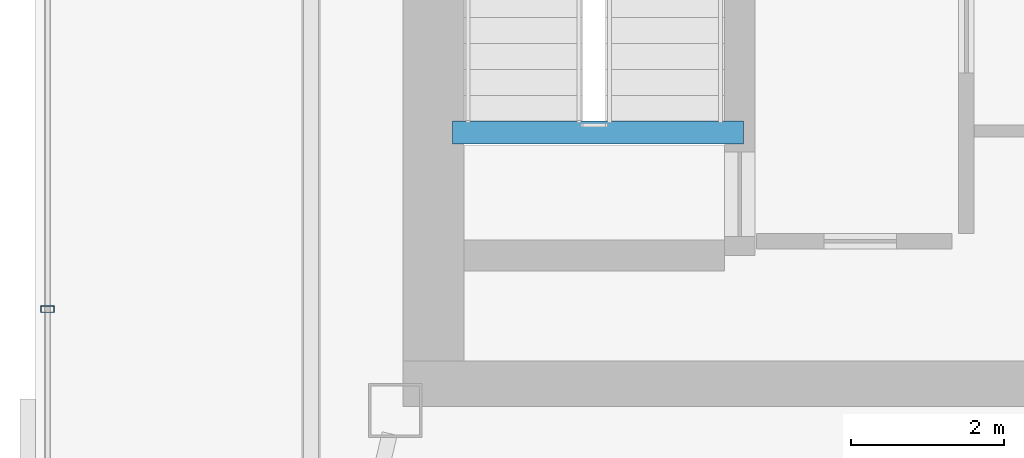
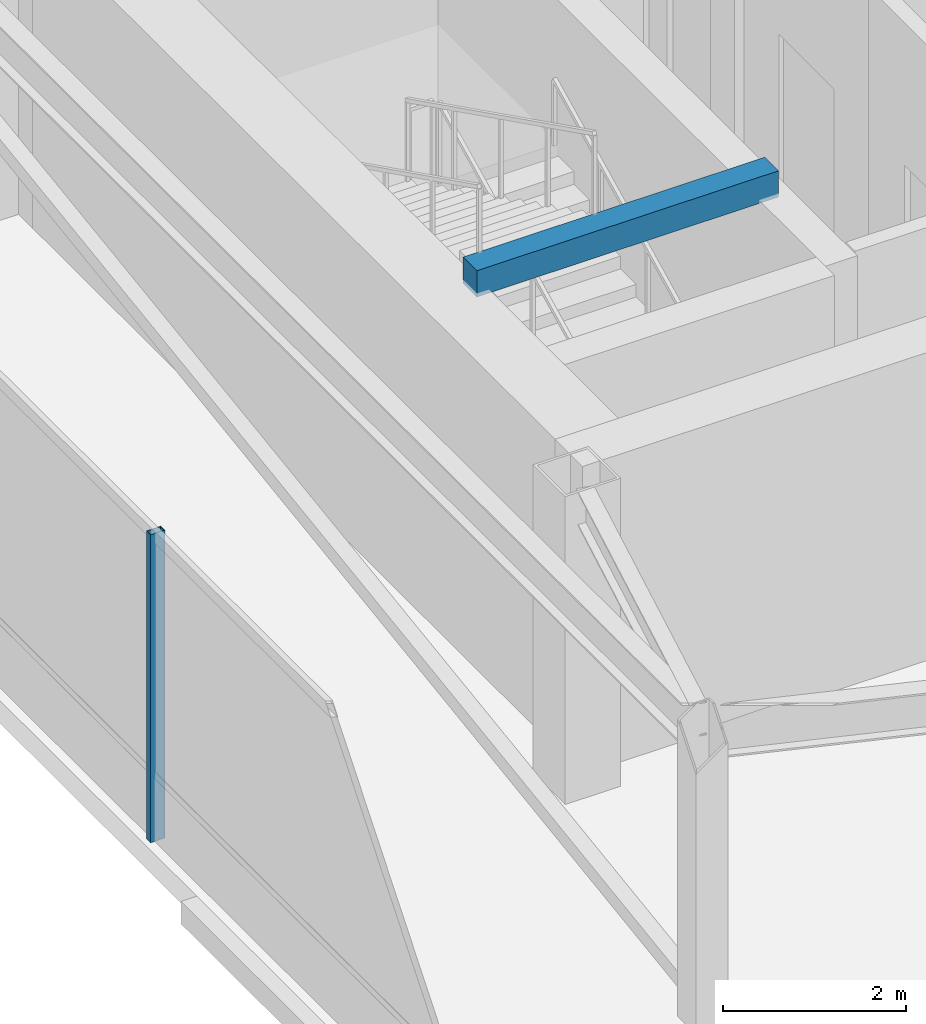
# One storey, part 3 of 22: 1 beam, 1 member, 1 element without a shape of its own.
"""IFC4 building model written with IfcOpenShell, lengths in metres."""

from ifc_helpers import new_model, si_unit, direction, frame, origin, origin_2d, place, context, subcontext, project, spatial, rectangle, hollow_rectangle, extrude, material, layer, layer_set, material_profile, profile_set, type_object, element, aggregate, save


model = new_model("IFC4")

# Units and contexts
model_context = context("Model", 3, precision=1e-05, world=origin(), true_north=direction((0.0, 1.0)))
body_context = subcontext(model_context, "Body", "Model", "MODEL_VIEW")
ifc_project = project(units=[si_unit("LENGTHUNIT", "METRE"), si_unit("AREAUNIT", "SQUARE_METRE"), si_unit("VOLUMEUNIT", "CUBIC_METRE"), si_unit("PLANEANGLEUNIT", "RADIAN"), si_unit("MASSUNIT", "GRAM", prefix="KILO")], contexts=[model_context])

# Site, building, storey
site_placement = place(None, origin())
site = spatial("IfcSite", under=ifc_project, at=site_placement, CompositionType="ELEMENT")
building_placement = place(site_placement, origin())
building = spatial("IfcBuilding", under=site, at=building_placement, Name="Tavrogorsk Clinical Tower", CompositionType="ELEMENT")
storey_placement = place(building_placement, frame((0.0, 0.0, 339.800048828125)))
storey = spatial("IfcBuildingStorey", under=building, at=storey_placement, Name="L79", CompositionType="ELEMENT", Elevation=339.800048828125)

# Curtain wall, member
ifc_material_1 = material(Name="Anodised aluminium and triple IGU glazing", Category="aluminium")
ifc_layer = layer(ifc_material_1, 0.179931640625)
ifc_layer_set = layer_set([ifc_layer], Name="Anodised aluminium and triple IGU glazing")
curtain_wall_type = type_object("IfcCurtainWallType", Name="CW6_TmdLantern", PredefinedType="NOTDEFINED", material=ifc_layer_set)
curtain_wall_placement = place(storey_placement, origin())
curtain_wall = element("IfcCurtainWall", 1, at=curtain_wall_placement, inside=storey, type_object=curtain_wall_type, Name="L79 Curtain Wall CW-L79-DRUM-2", PredefinedType="NOTDEFINED")
ifc_material_2 = material(Name="Anodised aluminium alloy AW-6060", Category="aluminium")
ifc_material_profile_1 = material_profile(ifc_material_2, hollow_rectangle(XDim=0.090087890625, YDim=0.179931640625, WallThickness=0.00634765625, at=origin_2d()), Name="RHS-180x90x6.3")
ifc_profile_set_1 = profile_set([ifc_material_profile_1], Name="Anodised aluminium alloy AW-6060")
member_type = type_object("IfcMemberType", Name="CwMullion_180x90", PredefinedType="MULLION", material=ifc_profile_set_1)
member_placement = place(storey_placement, frame((-26.639892578125, -5.024658203125, 0.0), z_axis=(0.0, 0.0, 1.0), x_axis=(0.0, 1.0, 0.0)))
member = element("IfcMember", 2, at=member_placement, type_object=member_type, Name="CW-L79-DRUM-2 Mullion 2", PredefinedType="MULLION", context=body_context, shape_type="SweptSolid", body=[
    extrude(hollow_rectangle(XDim=0.090087890625, YDim=0.179931640625, WallThickness=0.00634765625, at=origin_2d()), origin(), (0.0, 0.0, 1.0), 4.099853515625),
])
aggregate(curtain_wall, [member])

# Beam
ifc_material_3 = material(Name="Concrete B60", Category="concrete")
ifc_material_profile_2 = material_profile(ifc_material_3, rectangle(XDim=0.300048828125, YDim=0.35009765625, at=origin_2d()), Name="RC-SHB-300x350")
ifc_profile_set_2 = profile_set([ifc_material_profile_2], Name="Concrete B60")
beam_type = type_object("IfcBeamType", Name="StairHeaderBeam_RC300x350", PredefinedType="BEAM", material=ifc_profile_set_2)
beam_placement = place(storey_placement, frame((-21.35009765625, -2.719970703125, 4.224853515625), z_axis=(1.0, 0.0, 0.0), x_axis=(0.0, 1.0, 0.0)))
element("IfcBeam", 3, at=beam_placement, inside=storey, type_object=beam_type, Name="L80 ST-W Landing Header Beam", PredefinedType="BEAM", context=body_context, shape_type="SweptSolid", body=[
    extrude(rectangle(XDim=0.300048828125, YDim=0.35009765625, at=origin_2d()), origin(), (0.0, 0.0, 1.0), 3.800048828125),
])

save(model, "model.ifc")
